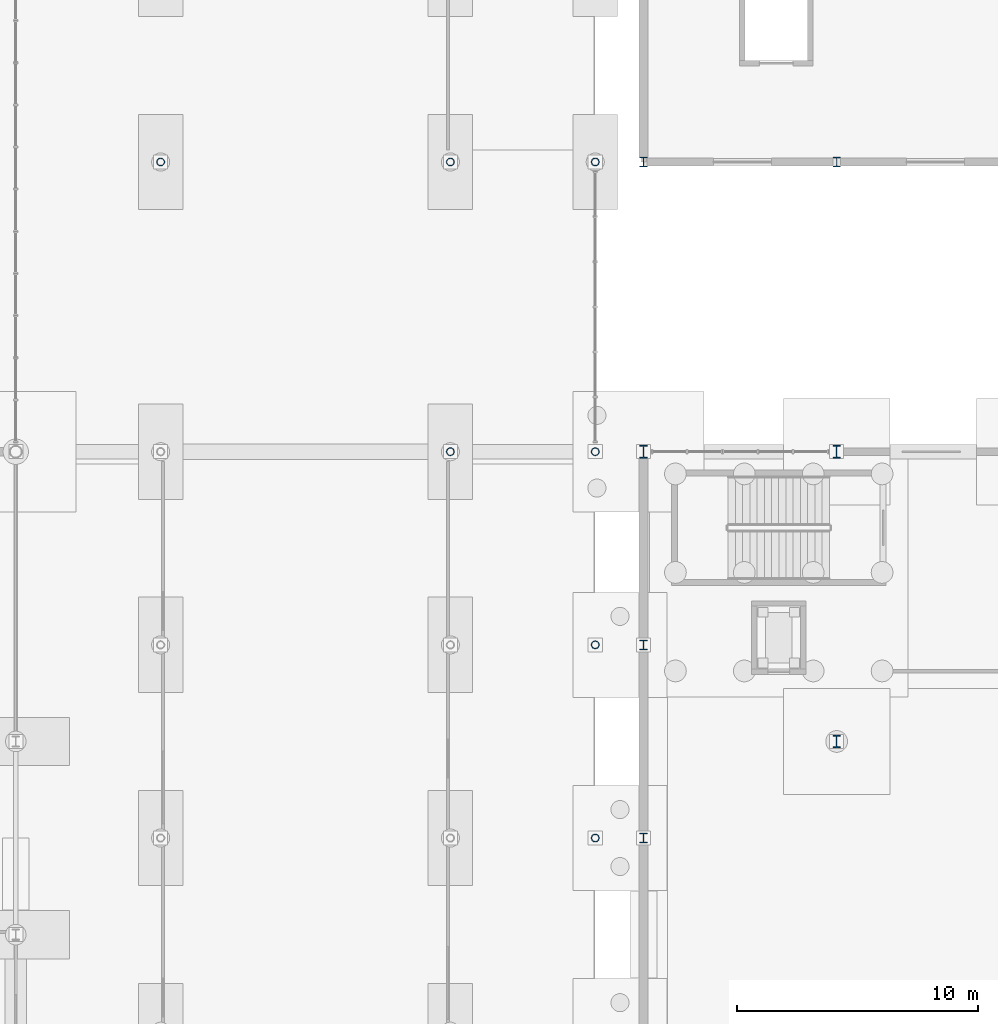
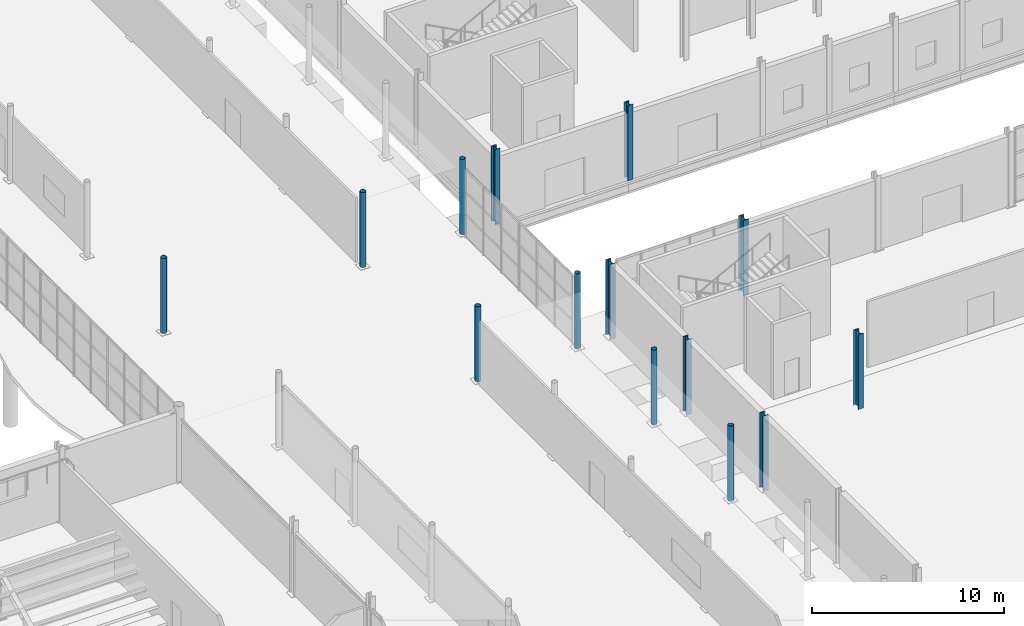
# One storey, part 15 of 101: 14 columns.
"""IFC4 building model written with IfcOpenShell, lengths in metres."""

from ifc_helpers import new_model, si_unit, derived_unit, direction, frame, origin, origin_2d, place, context, subcontext, project, spatial, hollow_circle, i_section, extrude, material, material_profile, profile_set, type_object, element, save


model = new_model("IFC4")

# Units and contexts
model_context = context("Model", 3, precision=1e-05, world=origin(), true_north=direction((0.0, 1.0)))
body_context = subcontext(model_context, "Body", "Model", "MODEL_VIEW")
ifc_project = project(units=[si_unit("LENGTHUNIT", "METRE"), si_unit("AREAUNIT", "SQUARE_METRE"), si_unit("VOLUMEUNIT", "CUBIC_METRE"), si_unit("PLANEANGLEUNIT", "RADIAN"), si_unit("MASSUNIT", "GRAM", prefix="KILO"), derived_unit("THERMALTRANSMITTANCEUNIT", [(si_unit("POWERUNIT", "WATT"), 1), (si_unit("LENGTHUNIT", "METRE"), -2), (si_unit("THERMODYNAMICTEMPERATUREUNIT", "KELVIN"), -1)])], contexts=[model_context])

# Site, building, storey
site_placement = place(None, origin())
site = spatial("IfcSite", under=ifc_project, at=site_placement, CompositionType="ELEMENT")
building_placement = place(site_placement, origin())
building = spatial("IfcBuilding", under=site, at=building_placement, Name="Keldorne Ridge Multi-Sports Centre", CompositionType="ELEMENT")
storey_placement = place(building_placement, origin())
storey = spatial("IfcBuildingStorey", under=building, at=storey_placement, Name="L00", CompositionType="ELEMENT", Elevation=0.0)

# Columns
ifc_material = material(Name="Steel S355", Category="steel")
ifc_material_profile_1 = material_profile(ifc_material, i_section(OverallWidth=0.305908203125, OverallDepth=0.52392578125, WebThickness=0.02099609375, FlangeThickness=0.0400390625, FilletRadius=0.027099609375, at=origin_2d()), Name="HEM 500")
ifc_profile_set_1 = profile_set([ifc_material_profile_1], Name="Steel S355")
column_type_1 = type_object("IfcColumnType", Name="COL-C-04", PredefinedType="COLUMN", material=ifc_profile_set_1)
for number, where, z_axis, x_axis, name in (
    (1, (104.0, 54.0, 0.0), (0.0, 0.0, 1.0), (1.0, 0.0, 0.0), "Structural column V2-TRUSS-N-01 on L00"),
    (2, (112.0, 54.0, 0.0), (0.0, 0.0, 1.0), (1.0, 0.0, 0.0), "Structural column V2-TRUSS-N-02 on L00"),
    (3, (112.0, 42.0, 0.0), (0.0, 0.0, 1.0), (1.0, 0.0, 0.0), "Structural column V2-C4-ANCH on L00"),
):
    element("IfcColumn", number, at=place(storey_placement, frame(where, z_axis=z_axis, x_axis=x_axis)), inside=storey, type_object=column_type_1, Name=name, PredefinedType="COLUMN", context=body_context, shape_type="SweptSolid", body=[
        extrude(i_section(OverallWidth=0.305908203125, OverallDepth=0.52392578125, WebThickness=0.02099609375, FlangeThickness=0.0400390625, FilletRadius=0.027099609375, at=origin_2d()), origin(), (0.0, 0.0, 1.0), 4.800048828125),
    ])
ifc_material_profile_2 = material_profile(ifc_material, hollow_circle(Radius=0.161865234375, WallThickness=0.01611328125, at=origin_2d()), Name="CHS 323.9x16")
ifc_profile_set_2 = profile_set([ifc_material_profile_2], Name="Steel S355")
column_type_2 = type_object("IfcColumnType", Name="COL-C-08", PredefinedType="COLUMN", material=ifc_profile_set_2)
for number, where, z_axis, x_axis, name in (
    (4, (102.0, 38.0, 0.0), (0.0, 0.0, 1.0), (1.0, 0.0, 0.0), "Structural column V4-G15-05 on L00"),
    (5, (102.0, 46.0, 0.0), (0.0, 0.0, 1.0), (1.0, 0.0, 0.0), "Structural column V4-G15-06 on L00"),
    (6, (96.0, 54.0, 0.0), (0.0, 0.0, 1.0), (1.0, 0.0, 0.0), "Structural column V4-G14-07 on L00"),
    (7, (102.0, 54.0, 0.0), (0.0, 0.0, 1.0), (1.0, 0.0, 0.0), "Structural column V4-G15-07 on L00"),
    (8, (84.0, 66.0, 0.0), (0.0, 0.0, 1.0), (1.0, 0.0, 0.0), "Structural column V4-G12-08 on L00"),
    (9, (96.0, 66.0, 0.0), (0.0, 0.0, 1.0), (1.0, 0.0, 0.0), "Structural column V4-G14-08 on L00"),
    (10, (102.0, 66.0, 0.0), (0.0, 0.0, 1.0), (1.0, 0.0, 0.0), "Structural column V4-G15-08 on L00"),
):
    element("IfcColumn", number, at=place(storey_placement, frame(where, z_axis=z_axis, x_axis=x_axis)), inside=storey, type_object=column_type_2, Name=name, PredefinedType="COLUMN", context=body_context, shape_type="SweptSolid", body=[
        extrude(hollow_circle(Radius=0.161865234375, WallThickness=0.01611328125, at=origin_2d()), origin(), (0.0, 0.0, 1.0), 4.800048828125),
    ])
ifc_material_profile_3 = material_profile(ifc_material, i_section(OverallWidth=0.300048828125, OverallDepth=0.39990234375, WebThickness=0.013427734375, FlangeThickness=0.02392578125, FilletRadius=0.027099609375, at=origin_2d()), Name="HEB 400")
ifc_profile_set_3 = profile_set([ifc_material_profile_3], Name="Steel S355")
column_type_3 = type_object("IfcColumnType", Name="COL-C-09", PredefinedType="COLUMN", material=ifc_profile_set_3)
for number, where, z_axis, x_axis, name in (
    (11, (104.0, 38.0, 0.0), (0.0, 0.0, 1.0), (1.0, 0.0, 0.0), "Structural column V2-GABLE-W-04 on L00"),
    (12, (104.0, 46.0, 0.0), (0.0, 0.0, 1.0), (1.0, 0.0, 0.0), "Structural column V2-GABLE-W-05 on L00"),
    (13, (104.0, 66.0, 0.0), (0.0, 0.0, 1.0), (1.0, 0.0, 0.0), "Structural column V5-C-01-01 on L00"),
    (14, (112.0, 66.0, 0.0), (0.0, 0.0, 1.0), (1.0, 0.0, 0.0), "Structural column V5-C-02-01 on L00"),
):
    element("IfcColumn", number, at=place(storey_placement, frame(where, z_axis=z_axis, x_axis=x_axis)), inside=storey, type_object=column_type_3, Name=name, PredefinedType="COLUMN", context=body_context, shape_type="SweptSolid", body=[
        extrude(i_section(OverallWidth=0.300048828125, OverallDepth=0.39990234375, WebThickness=0.013427734375, FlangeThickness=0.02392578125, FilletRadius=0.027099609375, at=origin_2d()), origin(), (0.0, 0.0, 1.0), 4.800048828125),
    ])

save(model, "model.ifc")
